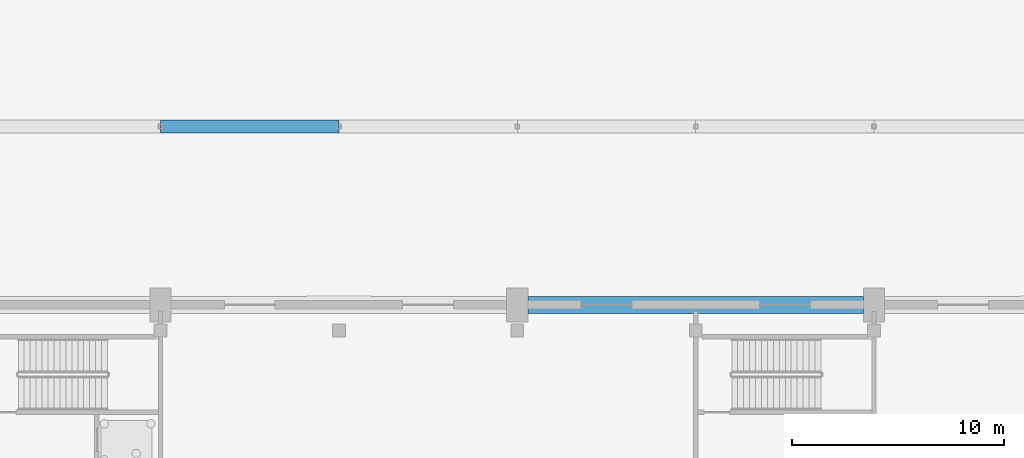
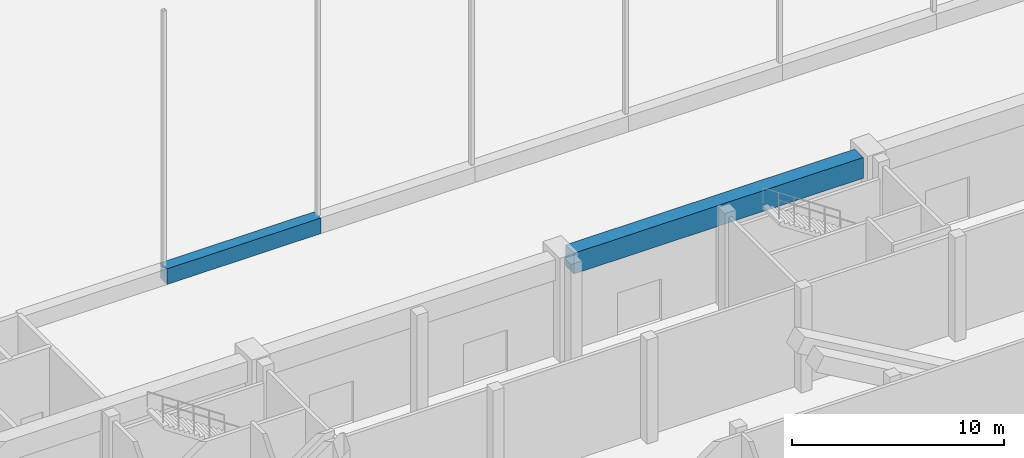
# One storey, part 34 of 210: 2 beams.
"""IFC4 building model written with IfcOpenShell, lengths in metres."""

from ifc_helpers import new_model, si_unit, direction, frame, origin, origin_2d, place, context, subcontext, project, spatial, rectangle, extrude, material, material_profile, profile_set, type_object, element, save


model = new_model("IFC4")

# Units and contexts
model_context = context("Model", 3, precision=1e-05, world=origin(), true_north=direction((0.0, 1.0)))
body_context = subcontext(model_context, "Body", "Model", "MODEL_VIEW")
ifc_project = project(units=[si_unit("LENGTHUNIT", "METRE"), si_unit("AREAUNIT", "SQUARE_METRE"), si_unit("VOLUMEUNIT", "CUBIC_METRE"), si_unit("PLANEANGLEUNIT", "RADIAN"), si_unit("MASSUNIT", "GRAM", prefix="KILO")], contexts=[model_context])

# Site, building, storey
site_placement = place(None, origin())
site = spatial("IfcSite", under=ifc_project, at=site_placement, CompositionType="ELEMENT")
building_placement = place(site_placement, origin())
building = spatial("IfcBuilding", under=site, at=building_placement, Name="Rain Tree Exposition and Congress Centre", CompositionType="ELEMENT")
storey_placement = place(building_placement, origin())
storey = spatial("IfcBuildingStorey", under=building, at=storey_placement, Name="L00", CompositionType="ELEMENT", Elevation=0.0)

# Beams
ifc_material_1 = material(Name="Precast concrete C50/60", Category="concrete")
ifc_material_profile_1 = material_profile(ifc_material_1, rectangle(XDim=0.60009765625, YDim=0.89990234375, at=origin_2d()), Name="RC 600x900")
ifc_profile_set_1 = profile_set([ifc_material_profile_1], Name="Precast concrete C50/60")
beam_type_1 = type_object("IfcBeamType", Name="Precast beam 600x900", PredefinedType="BEAM", material=ifc_profile_set_1)
beam_1_placement = place(storey_placement, frame((25.199951171875, 109.199951171875, 5.25), z_axis=(1.0, 0.0, 0.0), x_axis=(0.0, 1.0, 0.0)))
element("IfcBeam", 1, at=beam_1_placement, inside=storey, type_object=beam_type_1, Name="Gallery edge beam 2", PredefinedType="BEAM", context=body_context, shape_type="SweptSolid", body=[
    extrude(rectangle(XDim=0.60009765625, YDim=0.89990234375, at=origin_2d()), origin(), (0.0, 0.0, 1.0), 8.400146484375),
])
ifc_material_2 = material(Name="Precast concrete C50/60", Category="concrete")
ifc_material_profile_2 = material_profile(ifc_material_2, rectangle(XDim=0.800048828125, YDim=1.199951171875, at=origin_2d()), Name="RC 800x1200")
ifc_profile_set_2 = profile_set([ifc_material_profile_2], Name="Precast concrete C50/60")
beam_type_2 = type_object("IfcBeamType", Name="Precast beam 800x1200", PredefinedType="BEAM", material=ifc_profile_set_2)
beam_2_placement = place(storey_placement, frame((42.5, 100.800048828125, 5.10009765625), z_axis=(1.0, 0.0, 0.0), x_axis=(0.0, 1.0, 0.0)))
element("IfcBeam", 2, at=beam_2_placement, inside=storey, type_object=beam_type_2, Name="Gallery perimeter beam 3", PredefinedType="BEAM", context=body_context, shape_type="SweptSolid", body=[
    extrude(rectangle(XDim=0.800048828125, YDim=1.199951171875, at=origin_2d()), origin(), (0.0, 0.0, 1.0), 15.800048828125),
])

save(model, "model.ifc")
